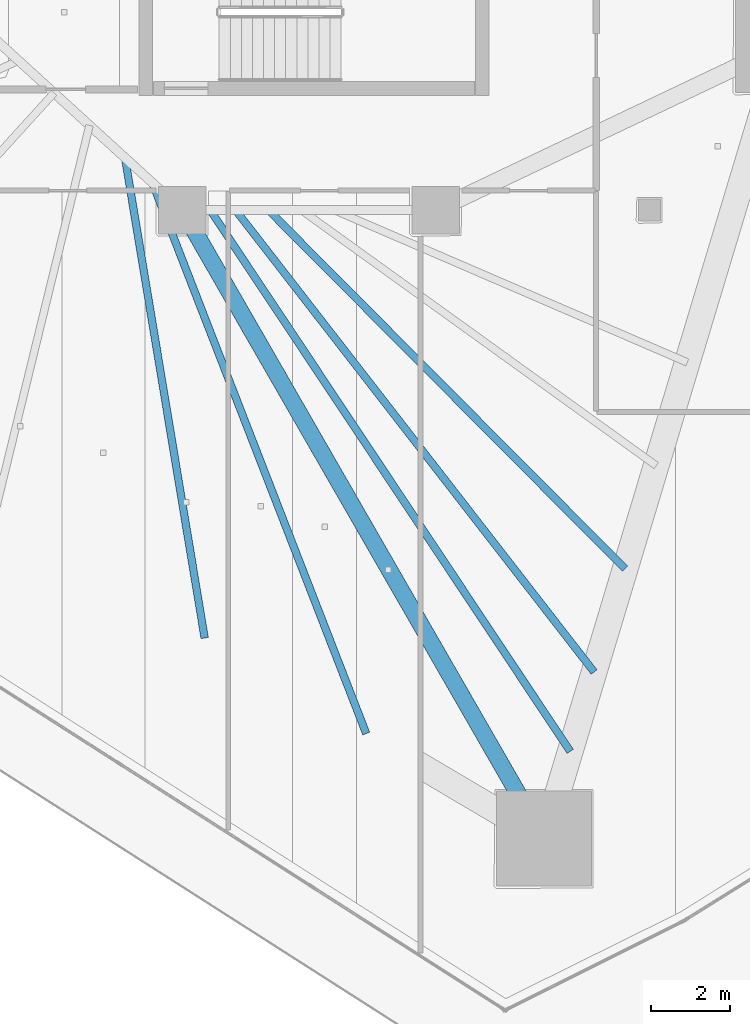
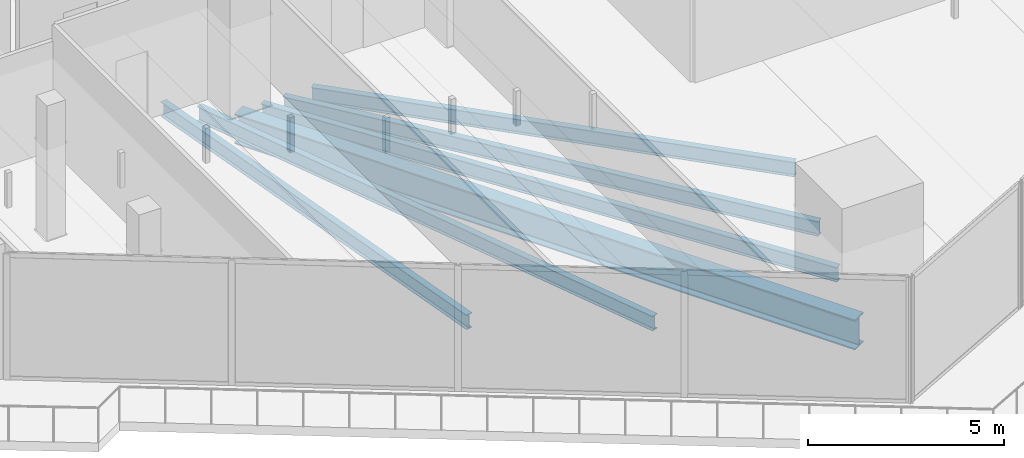
# One storey, part 8 of 45: 6 beams.
"""IFC4 building model written with IfcOpenShell, lengths in metres."""

from ifc_helpers import new_model, si_unit, direction, frame, origin, origin_2d, place, context, subcontext, project, spatial, i_section, extrude, material, material_profile, profile_set, type_object, element, save


model = new_model("IFC4")

# Units and contexts
model_context = context("Model", 3, precision=1e-05, world=origin(), true_north=direction((0.0, 1.0)))
body_context = subcontext(model_context, "Body", "Model", "MODEL_VIEW")
ifc_project = project(units=[si_unit("LENGTHUNIT", "METRE"), si_unit("AREAUNIT", "SQUARE_METRE"), si_unit("VOLUMEUNIT", "CUBIC_METRE"), si_unit("PLANEANGLEUNIT", "RADIAN"), si_unit("MASSUNIT", "GRAM", prefix="KILO")], contexts=[model_context])

# Site, building, storey
site_placement = place(None, origin())
site = spatial("IfcSite", under=ifc_project, at=site_placement, CompositionType="ELEMENT")
building_placement = place(site_placement, origin())
building = spatial("IfcBuilding", under=site, at=building_placement, Name="Qorvath Tower", CompositionType="ELEMENT")
storey_placement = place(building_placement, frame((0.0, 0.0, 91.199951171875)))
storey = spatial("IfcBuildingStorey", under=building, at=storey_placement, Name="L20", CompositionType="ELEMENT", Elevation=91.199951171875)

# Beams
ifc_material_1 = material(Name="Steel ASTM A992 Grade 50", Category="steel")
ifc_material_profile_1 = material_profile(ifc_material_1, i_section(OverallWidth=0.422119140625, OverallDepth=0.93310546875, WebThickness=0.021240234375, FlangeThickness=0.039794921875, FilletRadius=0.02392578125, at=origin_2d()), Name="W36x262")
ifc_profile_set_1 = profile_set([ifc_material_profile_1], Name="Steel ASTM A992 Grade 50")
beam_type_1 = type_object("IfcBeamType", Name="BM-FG1", PredefinedType="BEAM", material=ifc_profile_set_1)
beam_1_placement = place(storey_placement, frame((-23.60009765625, -11.449951171875, -0.74658203125), z_axis=(0.498645367714, -0.866806089767, 0.0), x_axis=(0.866806089767, 0.498645367714, 0.0)))
element("IfcBeam", 1, at=beam_1_placement, inside=storey, type_object=beam_type_1, Name="Radial Floor Girder CC4-MC3 L20", PredefinedType="BEAM", context=body_context, shape_type="SweptSolid", body=[
    extrude(i_section(OverallWidth=0.422119140625, OverallDepth=0.93310546875, WebThickness=0.021240234375, FlangeThickness=0.039794921875, FilletRadius=0.02392578125, at=origin_2d()), origin(), (0.0, 0.0, 1.0), 18.321044921875),
])
ifc_material_2 = material(Name="Steel ASTM A992 Grade 50", Category="steel")
ifc_material_profile_2 = material_profile(ifc_material_2, i_section(OverallWidth=0.18994140625, OverallDepth=0.45703125, WebThickness=0.009033203125, FlangeThickness=0.014404296875, FilletRadius=0.011962890625, at=origin_2d()), Name="W18x50")
ifc_profile_set_2 = profile_set([ifc_material_profile_2], Name="Steel ASTM A992 Grade 50")
beam_type_2 = type_object("IfcBeamType", Name="BM-FJ2", PredefinedType="JOIST", material=ifc_profile_set_2)
beam_2_placement = place(storey_placement, frame((-21.424072265625, -11.449951171875, -0.508544921875), z_axis=(0.705107654599, -0.709100271771, 0.0), x_axis=(0.709100271771, 0.705107654599, 0.0)))
element("IfcBeam", 2, at=beam_2_placement, inside=storey, type_object=beam_type_2, Name="Composite Floor Joist SE5 L20", PredefinedType="JOIST", context=body_context, shape_type="SweptSolid", body=[
    extrude(i_section(OverallWidth=0.18994140625, OverallDepth=0.45703125, WebThickness=0.009033203125, FlangeThickness=0.014404296875, FilletRadius=0.011962890625, at=origin_2d()), origin(), (0.0, 0.0, 1.0), 12.780029296875),
])
beam_3_placement = place(storey_placement, frame((-22.256103515625, -11.449951171875, -0.508544921875), z_axis=(0.613206963859, -0.789922286984, 0.0), x_axis=(0.789922286984, 0.613206963859, 0.0)))
element("IfcBeam", 3, at=beam_3_placement, inside=storey, type_object=beam_type_2, Name="Composite Floor Joist SE6 L20", PredefinedType="JOIST", context=body_context, shape_type="SweptSolid", body=[
    extrude(i_section(OverallWidth=0.18994140625, OverallDepth=0.45703125, WebThickness=0.009033203125, FlangeThickness=0.014404296875, FilletRadius=0.011962890625, at=origin_2d()), origin(), (0.0, 0.0, 1.0), 14.77294921875),
])
beam_4_placement = place(storey_placement, frame((-22.89599609375, -11.449951171875, -0.508544921875), z_axis=(0.553811384989, -0.83264214994, 0.0), x_axis=(0.83264214994, 0.553811384989, 0.0)))
element("IfcBeam", 4, at=beam_4_placement, inside=storey, type_object=beam_type_2, Name="Composite Floor Joist SE7 L20", PredefinedType="JOIST", context=body_context, shape_type="SweptSolid", body=[
    extrude(i_section(OverallWidth=0.18994140625, OverallDepth=0.45703125, WebThickness=0.009033203125, FlangeThickness=0.014404296875, FilletRadius=0.011962890625, at=origin_2d()), origin(), (0.0, 0.0, 1.0), 16.42333984375),
])
beam_5_placement = place(storey_placement, frame((-25.049072265625, -10.126953125, -0.508544921875), z_axis=(0.163639384475, -0.98652022374, 0.0), x_axis=(0.98652022374, 0.163639384475, 0.0)))
element("IfcBeam", 5, at=beam_5_placement, inside=storey, type_object=beam_type_2, Name="Composite Floor Joist SW6 L20", PredefinedType="JOIST", context=body_context, shape_type="SweptSolid", body=[
    extrude(i_section(OverallWidth=0.18994140625, OverallDepth=0.45703125, WebThickness=0.009033203125, FlangeThickness=0.014404296875, FilletRadius=0.011962890625, at=origin_2d()), origin(), (0.0, 0.0, 1.0), 12.301025390625),
])
beam_6_placement = place(storey_placement, frame((-24.35888671875, -10.757080078125, -0.508544921875), z_axis=(0.361964096586, -0.93219203643, 0.0), x_axis=(0.93219203643, 0.361964096586, 0.0)))
element("IfcBeam", 6, at=beam_6_placement, inside=storey, type_object=beam_type_2, Name="Composite Floor Joist SW7 L20", PredefinedType="JOIST", context=body_context, shape_type="SweptSolid", body=[
    extrude(i_section(OverallWidth=0.18994140625, OverallDepth=0.45703125, WebThickness=0.009033203125, FlangeThickness=0.014404296875, FilletRadius=0.011962890625, at=origin_2d()), origin(), (0.0, 0.0, 1.0), 14.93115234375),
])

save(model, "model.ifc")
